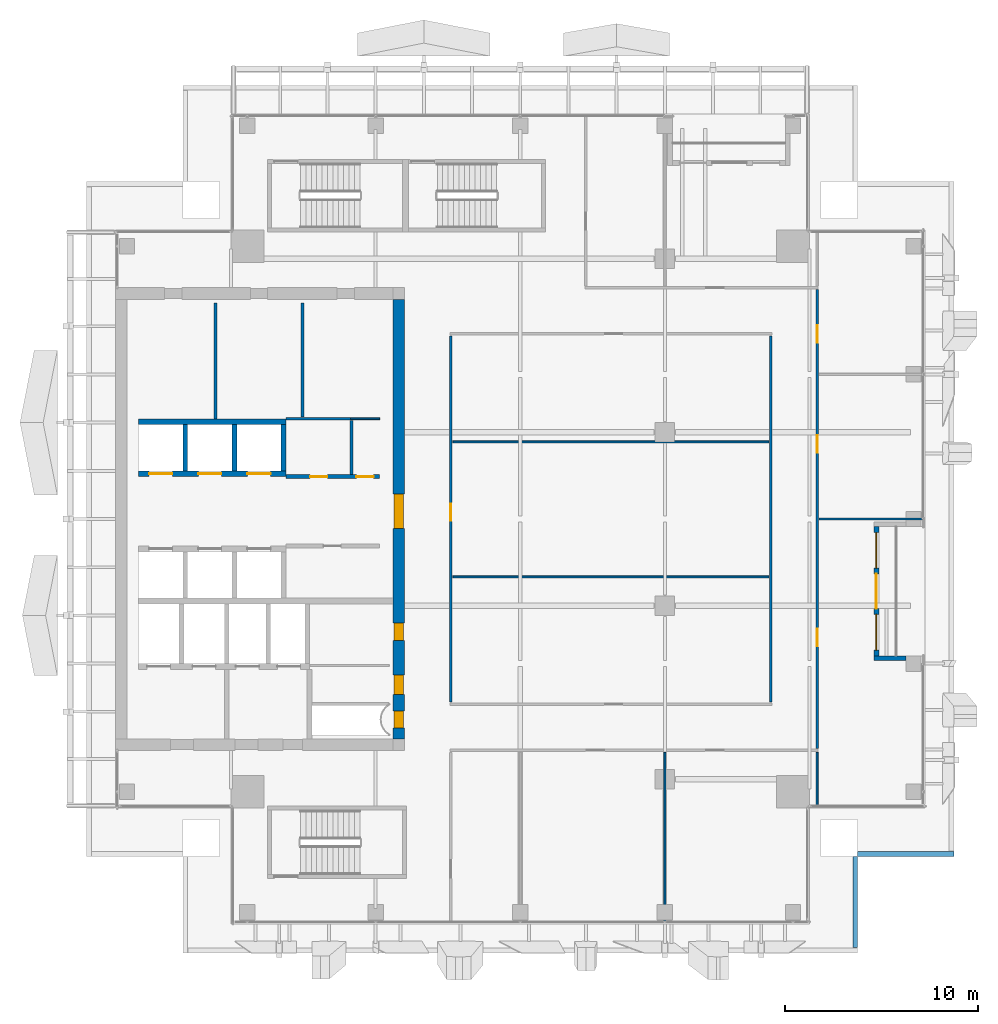
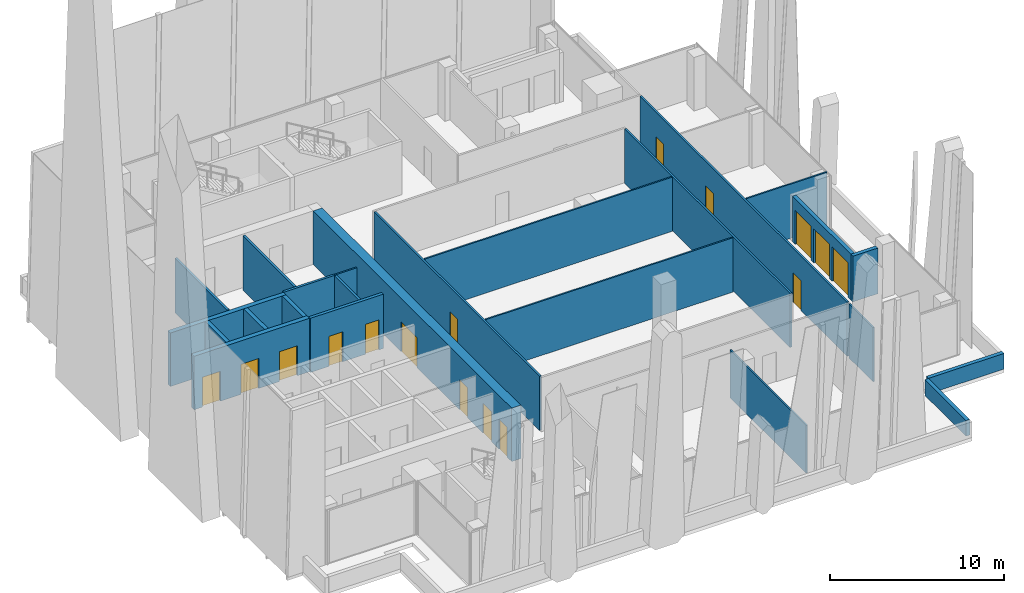
# One storey, part 26 of 32: 24 walls, 14 doors, 2 windows, 16 openings.
"""IFC4 building model written with IfcOpenShell, lengths in metres."""

from ifc_helpers import new_model, si_unit, direction, frame, frame_2d, origin, place, context, subcontext, project, spatial, rectangle, extrude, source, transform, mapped, material, layer, layer_set, type_object, element, fill, save


model = new_model("IFC4")

# Units and contexts
model_context = context("Model", 3, precision=1e-05, world=origin(), true_north=direction((0.0, 1.0)))
body_context = subcontext(model_context, "Body", "Model", "MODEL_VIEW")
ifc_project = project(units=[si_unit("LENGTHUNIT", "METRE"), si_unit("AREAUNIT", "SQUARE_METRE"), si_unit("VOLUMEUNIT", "CUBIC_METRE"), si_unit("PLANEANGLEUNIT", "RADIAN"), si_unit("MASSUNIT", "GRAM", prefix="KILO")], contexts=[model_context])

# Site, building, storey
site_placement = place(None, origin())
site = spatial("IfcSite", under=ifc_project, at=site_placement, CompositionType="ELEMENT")
building_placement = place(site_placement, origin())
building = spatial("IfcBuilding", under=site, at=building_placement, Name="Khomas Fold Tower", CompositionType="ELEMENT")
storey_placement = place(building_placement, frame((0.0, 0.0, 282.199951171875)))
storey = spatial("IfcBuildingStorey", under=building, at=storey_placement, Name="L63", CompositionType="ELEMENT", Elevation=282.199951171875)

# Walls
ifc_material_1 = material(Name="Concrete C50/60", Category="concrete")
ifc_layer_1 = layer(ifc_material_1, 0.25)
ifc_layer_set_1 = layer_set([ifc_layer_1], Name="Concrete C50/60")
wall_type_1 = type_object("IfcWallType", Name="Shaft wall 250", PredefinedType="STANDARD", material=ifc_layer_set_1)
shared_shape_1 = source(origin(), body_context, "Body", "SweptSolid", [
    extrude(rectangle(XDim=2.39990234375, YDim=0.25, at=frame_2d((1.199951171875, 0.0))), origin(), (0.0, 0.0, 1.0), 3.75),
])
for number, where, z_axis, x_axis, name in (
    (1, (9.625, 29.5, 0.0), (0.0, 0.0, 1.0), (0.0, 1.0, 0.0), "Core wall SW-HRN-P1"),
    (2, (12.175048828125, 29.5, 0.0), (0.0, 0.0, 1.0), (0.0, 1.0, 0.0), "Core wall SW-HRN-P2"),
    (3, (14.72509765625, 29.5, 0.0), (0.0, 0.0, 1.0), (0.0, 1.0, 0.0), "Core wall SW-HRN-PE"),
):
    element("IfcWall", number, at=place(storey_placement, frame(where, z_axis=z_axis, x_axis=x_axis)), inside=storey, type_object=wall_type_1, Name=name, PredefinedType="STANDARD", context=body_context, shape_type="MappedRepresentation", body=[
        mapped(shared_shape_1, transform((0.0, 0.0, 0.0))),
    ])

# Wall, openings, doors
ifc_material_2 = material(Name="Concrete C50/60", Category="concrete")
ifc_layer_2 = layer(ifc_material_2, 0.60009765625)
ifc_layer_set_2 = layer_set([ifc_layer_2], Name="Concrete C50/60")
wall_type_2 = type_object("IfcWallType", Name="Core wall 600", PredefinedType="SHEAR", material=ifc_layer_set_2)
shared_shape_2 = source(origin(), body_context, "Body", "SweptSolid", [
    extrude(rectangle(XDim=22.7998046875, YDim=0.60009765625, at=frame_2d((11.39990234375, 0.0))), origin(), (0.0, 0.0, 1.0), 3.75),
])
wall_1_placement = place(storey_placement, frame((20.699951171875, 15.60009765625, 0.0), z_axis=(0.0, 0.0, 1.0), x_axis=(0.0, 1.0, 0.0)))
wall_1 = element("IfcWall", 4, at=wall_1_placement, inside=storey, type_object=wall_type_2, Name="Core wall CW-U-E-L63", PredefinedType="SHEAR", context=body_context, shape_type="MappedRepresentation", body=[
    mapped(shared_shape_2, transform((0.0, 0.0, 0.0))),
])
shared_shape_3 = source(origin(), body_context, "Body", "SweptSolid", [
    extrude(rectangle(XDim=1.800048828125, YDim=2.10009765625, at=frame_2d((0.89990234375, 1.050048828125))), frame((0.0, 0.31005859375, 0.0), z_axis=(0.0, -1.0, 0.0), x_axis=(1.0, 0.0, 0.0)), (0.0, 0.0, 1.0), 0.6201171875),
])
opening_1_placement = place(wall_1_placement, frame((10.89990234375, 0.0, 0.0)))
opening_1 = element("IfcOpeningElement", 5, at=opening_1_placement, cuts=wall_1, Name="Opening 0015", PredefinedType="OPENING", context=body_context, shape_type="MappedRepresentation", body=[
    mapped(shared_shape_3, transform((0.0, 0.0, 0.0))),
])
shared_shape_4 = source(origin(), body_context, "Body", "SweptSolid", [
    extrude(rectangle(XDim=0.89990234375, YDim=2.10009765625, at=frame_2d((0.449951171875, 1.050048828125))), frame((0.0, 0.31005859375, 0.0), z_axis=(0.0, -1.0, 0.0), x_axis=(1.0, 0.0, 0.0)), (0.0, 0.0, 1.0), 0.6201171875),
])
opening_2_placement = place(wall_1_placement, frame((0.550048828125, 0.0, 0.0)))
opening_2 = element("IfcOpeningElement", 6, at=opening_2_placement, cuts=wall_1, Name="Opening 0003", PredefinedType="OPENING", context=body_context, shape_type="MappedRepresentation", body=[
    mapped(shared_shape_4, transform((0.0, 0.0, 0.0))),
])
shared_shape_5 = source(origin(), body_context, "Body", "SweptSolid", [
    extrude(rectangle(XDim=1.0, YDim=2.10009765625, at=frame_2d((0.5, 1.050048828125))), frame((0.0, 0.31005859375, 0.0), z_axis=(0.0, -1.0, 0.0), x_axis=(1.0, 0.0, 0.0)), (0.0, 0.0, 1.0), 0.6201171875),
])
opening_3_placement = place(wall_1_placement, frame((2.300048828125, 0.0, 0.0)))
opening_3 = element("IfcOpeningElement", 7, at=opening_3_placement, cuts=wall_1, Name="Opening 0006", PredefinedType="OPENING", context=body_context, shape_type="MappedRepresentation", body=[
    mapped(shared_shape_5, transform((0.0, 0.0, 0.0))),
])
opening_4_placement = place(wall_1_placement, frame((5.10009765625, 0.0, 0.0)))
opening_4 = element("IfcOpeningElement", 8, at=opening_4_placement, cuts=wall_1, Name="Opening 0008", PredefinedType="OPENING", context=body_context, shape_type="MappedRepresentation", body=[
    mapped(shared_shape_4, transform((0.0, 0.0, 0.0))),
])
ifc_material_3 = material(Name="Steel door leaf", Category="steel")
door_type_1 = type_object("IfcDoorType", Name="Lobby door 1800x2100", OperationType="DOUBLE_DOOR_SINGLE_SWING", PredefinedType="DOOR", material=ifc_material_3)
shared_shape_6 = source(origin(), body_context, "Body", "SweptSolid", [
    extrude(rectangle(XDim=1.800048828125, YDim=2.10009765625, at=frame_2d((0.89990234375, 1.050048828125))), frame((0.0, 0.25, 0.0), z_axis=(0.0, -1.0, 0.0), x_axis=(1.0, 0.0, 0.0)), (0.0, 0.0, 1.0), 0.5),
])
door_1_placement = place(opening_1_placement, origin())
door_1 = element("IfcDoor", 9, at=door_1_placement, inside=storey, type_object=door_type_1, Name="Lobby door", OperationType="DOUBLE_DOOR_SINGLE_SWING", OverallHeight=2.10009765625, OverallWidth=1.800048828125, PredefinedType="DOOR", context=body_context, shape_type="MappedRepresentation", body=[
    mapped(shared_shape_6, transform((0.0, 0.0, 0.0))),
])
fill(opening_1, door_1)
ifc_material_4 = material(Name="Steel door leaf", Category="steel")
door_type_2 = type_object("IfcDoorType", Name="Plant room door 900x2100 right-hand", OperationType="SINGLE_SWING_RIGHT", PredefinedType="DOOR", material=ifc_material_4)
shared_shape_7 = source(origin(), body_context, "Body", "SweptSolid", [
    extrude(rectangle(XDim=0.89990234375, YDim=2.10009765625, at=frame_2d((0.449951171875, 1.050048828125))), frame((0.0, 0.25, 0.0), z_axis=(0.0, -1.0, 0.0), x_axis=(1.0, 0.0, 0.0)), (0.0, 0.0, 1.0), 0.5),
])
door_2_placement = place(opening_2_placement, origin())
door_2 = element("IfcDoor", 10, at=door_2_placement, inside=storey, type_object=door_type_2, Name="Plant room door", OperationType="SINGLE_SWING_RIGHT", OverallHeight=2.10009765625, OverallWidth=0.89990234375, PredefinedType="DOOR", context=body_context, shape_type="MappedRepresentation", body=[
    mapped(shared_shape_7, transform((0.0, 0.0, 0.0))),
])
fill(opening_2, door_2)
ifc_material_5 = material(Name="Timber door leaf", Category="wood")
door_type_3 = type_object("IfcDoorType", Name="Door 900x2100 right-hand", OperationType="SINGLE_SWING_RIGHT", PredefinedType="DOOR", material=ifc_material_5)
door_3_placement = place(opening_4_placement, origin())
door_3 = element("IfcDoor", 11, at=door_3_placement, inside=storey, type_object=door_type_3, Name="Door", OperationType="SINGLE_SWING_RIGHT", OverallHeight=2.10009765625, OverallWidth=0.89990234375, PredefinedType="DOOR", context=body_context, shape_type="MappedRepresentation", body=[
    mapped(shared_shape_7, transform((0.0, 0.0, 0.0))),
])
fill(opening_4, door_3)
ifc_material_6 = material(Name="Timber door leaf", Category="wood")
door_type_4 = type_object("IfcDoorType", Name="WC door 1000x2100 right-hand", OperationType="SINGLE_SWING_RIGHT", PredefinedType="DOOR", material=ifc_material_6)
shared_shape_8 = source(origin(), body_context, "Body", "SweptSolid", [
    extrude(rectangle(XDim=1.0, YDim=2.10009765625, at=frame_2d((0.5, 1.050048828125))), frame((0.0, 0.25, 0.0), z_axis=(0.0, -1.0, 0.0), x_axis=(1.0, 0.0, 0.0)), (0.0, 0.0, 1.0), 0.5),
])
door_4_placement = place(opening_3_placement, origin())
door_4 = element("IfcDoor", 12, at=door_4_placement, inside=storey, type_object=door_type_4, Name="WC door", OperationType="SINGLE_SWING_RIGHT", OverallHeight=2.10009765625, OverallWidth=1.0, PredefinedType="DOOR", context=body_context, shape_type="MappedRepresentation", body=[
    mapped(shared_shape_8, transform((0.0, 0.0, 0.0))),
])
fill(opening_3, door_4)

# Wall
ifc_material_7 = material(Name="Concrete C50/60", Category="concrete")
ifc_layer_3 = layer(ifc_material_7, 0.300048828125)
ifc_layer_set_3 = layer_set([ifc_layer_3], Name="Concrete C50/60")
wall_type_3 = type_object("IfcWallType", Name="Shaft wall 300", PredefinedType="STANDARD", material=ifc_layer_set_3)
shared_shape_9 = source(origin(), body_context, "Body", "SweptSolid", [
    extrude(rectangle(XDim=7.650146484375, YDim=0.300048828125, at=frame_2d((3.8251953125, 0.0))), origin(), (0.0, 0.0, 1.0), 3.75),
])
wall_2_placement = place(storey_placement, frame((7.199951171875, 32.050048828125, 0.0), z_axis=(0.0, 0.0, 1.0), x_axis=(1.0, 0.0, 0.0)))
element("IfcWall", 13, at=wall_2_placement, inside=storey, type_object=wall_type_3, Name="Core wall SW-HRN-B", PredefinedType="STANDARD", context=body_context, shape_type="MappedRepresentation", body=[
    mapped(shared_shape_9, transform((0.0, 0.0, 0.0))),
])

# Wall, openings, doors
wall_3_placement = place(storey_placement, frame((7.199951171875, 29.35009765625, 0.0), z_axis=(0.0, 0.0, 1.0), x_axis=(1.0, 0.0, 0.0)))
wall_3 = element("IfcWall", 14, at=wall_3_placement, inside=storey, type_object=wall_type_3, Name="Core wall SW-HRN-F", PredefinedType="STANDARD", context=body_context, shape_type="MappedRepresentation", body=[
    mapped(shared_shape_9, transform((0.0, 0.0, 0.0))),
])
shared_shape_10 = source(origin(), body_context, "Body", "SweptSolid", [
    extrude(rectangle(XDim=1.199951171875, YDim=2.10009765625, at=frame_2d((0.60009765625, 1.050048828125))), frame((0.0, 0.159912109375, 0.0), z_axis=(0.0, -1.0, 0.0), x_axis=(1.0, 0.0, 0.0)), (0.0, 0.0, 1.0), 0.320068359375),
])
opening_5_placement = place(wall_3_placement, frame((0.550048828125, 0.0, 0.0)))
opening_5 = element("IfcOpeningElement", 15, at=opening_5_placement, cuts=wall_3, Name="Opening LD-HR4", PredefinedType="OPENING", context=body_context, shape_type="MappedRepresentation", body=[
    mapped(shared_shape_10, transform((0.0, 0.0, 0.0))),
])
opening_6_placement = place(wall_3_placement, frame((3.10009765625, 0.0, 0.0)))
opening_6 = element("IfcOpeningElement", 16, at=opening_6_placement, cuts=wall_3, Name="Opening LD-HR5", PredefinedType="OPENING", context=body_context, shape_type="MappedRepresentation", body=[
    mapped(shared_shape_10, transform((0.0, 0.0, 0.0))),
])
opening_7_placement = place(wall_3_placement, frame((5.64990234375, 0.0, 0.0)))
opening_7 = element("IfcOpeningElement", 17, at=opening_7_placement, cuts=wall_3, Name="Opening LD-HR6", PredefinedType="OPENING", context=body_context, shape_type="MappedRepresentation", body=[
    mapped(shared_shape_10, transform((0.0, 0.0, 0.0))),
])
ifc_material_8 = material(Name="Steel door leaf", Category="steel")
door_type_5 = type_object("IfcDoorType", Name="Landing door 1200x2100", OperationType="DOUBLE_DOOR_SLIDING", PredefinedType="DOOR", material=ifc_material_8)
shared_shape_11 = source(origin(), body_context, "Body", "SweptSolid", [
    extrude(rectangle(XDim=1.199951171875, YDim=2.10009765625, at=frame_2d((0.60009765625, 1.050048828125))), frame((0.0, 0.02490234375, 0.0), z_axis=(0.0, -1.0, 0.0), x_axis=(1.0, 0.0, 0.0)), (0.0, 0.0, 1.0), 0.050048828125),
])
door_5_placement = place(opening_5_placement, origin())
door_5 = element("IfcDoor", 18, at=door_5_placement, inside=storey, type_object=door_type_5, Name="Lift landing door", OperationType="DOUBLE_DOOR_SLIDING", OverallHeight=2.10009765625, OverallWidth=1.199951171875, PredefinedType="DOOR", context=body_context, shape_type="MappedRepresentation", body=[
    mapped(shared_shape_11, transform((0.0, 0.0, 0.0))),
])
fill(opening_5, door_5)
door_6_placement = place(opening_6_placement, origin())
door_6 = element("IfcDoor", 19, at=door_6_placement, inside=storey, type_object=door_type_5, Name="Lift landing door", OperationType="DOUBLE_DOOR_SLIDING", OverallHeight=2.10009765625, OverallWidth=1.199951171875, PredefinedType="DOOR", context=body_context, shape_type="MappedRepresentation", body=[
    mapped(shared_shape_11, transform((0.0, 0.0, 0.0))),
])
fill(opening_6, door_6)
door_7_placement = place(opening_7_placement, origin())
door_7 = element("IfcDoor", 20, at=door_7_placement, inside=storey, type_object=door_type_5, Name="Lift landing door", OperationType="DOUBLE_DOOR_SLIDING", OverallHeight=2.10009765625, OverallWidth=1.199951171875, PredefinedType="DOOR", context=body_context, shape_type="MappedRepresentation", body=[
    mapped(shared_shape_11, transform((0.0, 0.0, 0.0))),
])
fill(opening_7, door_7)

# Wall, openings, door, windows
ifc_material_9 = material(Name="Natural stone", Category="masonry")
ifc_layer_4 = layer(ifc_material_9, 0.0400390625)
ifc_material_10 = material(Name="Mineral wool insulation", Category="insulation")
ifc_layer_5 = layer(ifc_material_10, 0.10009765625)
ifc_material_11 = material(Name="Masonry", Category="masonry")
ifc_layer_6 = layer(ifc_material_11, 0.110107421875)
ifc_layer_set_4 = layer_set([ifc_layer_4, ifc_layer_5, ifc_layer_6], Name="Stone-faced insulated masonry")
wall_type_4 = type_object("IfcWallType", Name="BL-Balcony wall", PredefinedType="SOLIDWALL", material=ifc_layer_set_4)
shared_shape_12 = source(origin(), body_context, "Body", "SweptSolid", [
    extrude(rectangle(XDim=6.7001953125, YDim=0.25, at=frame_2d((3.35009765625, 0.0))), origin(), (0.0, 0.0, 1.0), 3.199951171875),
])
wall_4_placement = place(storey_placement, frame((45.47509765625, 19.89990234375, 0.0), z_axis=(0.0, 0.0, 1.0), x_axis=(0.0, 1.0, 0.0)))
wall_4 = element("IfcWall", 21, at=wall_4_placement, inside=storey, type_object=wall_type_4, Name="Balcony wall BAL-L63-E2", PredefinedType="SOLIDWALL", context=body_context, shape_type="MappedRepresentation", body=[
    mapped(shared_shape_12, transform((0.0, 0.0, 0.0))),
])
shared_shape_13 = source(origin(), body_context, "Body", "SweptSolid", [
    extrude(rectangle(XDim=1.85009765625, YDim=2.39990234375, at=frame_2d((0.925048828125, 1.199951171875))), frame((0.0, 0.135009765625, 0.0), z_axis=(0.0, -1.0, 0.0), x_axis=(1.0, 0.0, 0.0)), (0.0, 0.0, 1.0), 0.27001953125),
])
opening_8_placement = place(wall_4_placement, frame((0.300048828125, 0.0, 0.0)))
opening_8 = element("IfcOpeningElement", 22, at=opening_8_placement, cuts=wall_4, Name="Opening BL-W7", PredefinedType="OPENING", context=body_context, shape_type="MappedRepresentation", body=[
    mapped(shared_shape_13, transform((0.0, 0.0, 0.0))),
])
opening_9_placement = place(wall_4_placement, frame((4.550048828125, 0.0, 0.0)))
opening_9 = element("IfcOpeningElement", 23, at=opening_9_placement, cuts=wall_4, Name="Opening BL-W7", PredefinedType="OPENING", context=body_context, shape_type="MappedRepresentation", body=[
    mapped(shared_shape_13, transform((0.0, 0.0, 0.0))),
])
shared_shape_14 = source(origin(), body_context, "Body", "SweptSolid", [
    extrude(rectangle(XDim=1.800048828125, YDim=2.39990234375, at=frame_2d((0.89990234375, 1.199951171875))), frame((0.0, 0.135009765625, 0.0), z_axis=(0.0, -1.0, 0.0), x_axis=(1.0, 0.0, 0.0)), (0.0, 0.0, 1.0), 0.27001953125),
])
opening_10_placement = place(wall_4_placement, frame((2.449951171875, 0.0, 0.0)))
opening_10 = element("IfcOpeningElement", 24, at=opening_10_placement, cuts=wall_4, Name="Opening BD632", PredefinedType="OPENING", context=body_context, shape_type="MappedRepresentation", body=[
    mapped(shared_shape_14, transform((0.0, 0.0, 0.0))),
])
ifc_material_12 = material(Name="Aluminium framed double glazing", Category="aluminium")
door_type_6 = type_object("IfcDoorType", Name="BL-Glazed balcony door 1800 x 2400", OperationType="DOUBLE_DOOR_DOUBLE_SWING", PredefinedType="DOOR", material=ifc_material_12)
shared_shape_15 = source(origin(), body_context, "Body", "SweptSolid", [
    extrude(rectangle(XDim=1.800048828125, YDim=2.39990234375, at=frame_2d((0.89990234375, 1.199951171875))), frame((0.0, 0.02490234375, 0.0), z_axis=(0.0, -1.0, 0.0), x_axis=(1.0, 0.0, 0.0)), (0.0, 0.0, 1.0), 0.050048828125),
])
door_8_placement = place(opening_10_placement, origin())
door_8 = element("IfcDoor", 25, at=door_8_placement, inside=storey, type_object=door_type_6, Name="Balcony door BD632", OperationType="DOUBLE_DOOR_DOUBLE_SWING", OverallHeight=2.39990234375, OverallWidth=1.800048828125, PredefinedType="DOOR", context=body_context, shape_type="MappedRepresentation", body=[
    mapped(shared_shape_15, transform((0.0, 0.0, 0.0))),
])
fill(opening_10, door_8)
ifc_material_13 = material(Name="Aluminium framed double glazing", Category="aluminium")
window_type = type_object("IfcWindowType", Name="BL-Fixed glazing 1850 x 2400", PartitioningType="SINGLE_PANEL", PredefinedType="WINDOW", material=ifc_material_13)
shared_shape_16 = source(origin(), body_context, "Body", "SweptSolid", [
    extrude(rectangle(XDim=1.85009765625, YDim=2.39990234375, at=frame_2d((0.925048828125, 1.199951171875))), frame((0.0, 0.030029296875, 0.0), z_axis=(0.0, -1.0, 0.0), x_axis=(1.0, 0.0, 0.0)), (0.0, 0.0, 1.0), 0.06005859375),
])
window_1_placement = place(opening_8_placement, origin())
window_1 = element("IfcWindow", 26, at=window_1_placement, inside=storey, type_object=window_type, Name="Balcony glazing BAL-L63-E2-1", OverallHeight=2.39990234375, OverallWidth=1.85009765625, PartitioningType="SINGLE_PANEL", PredefinedType="WINDOW", context=body_context, shape_type="MappedRepresentation", body=[
    mapped(shared_shape_16, transform((0.0, 0.0, 0.0))),
])
fill(opening_8, window_1)
window_2_placement = place(opening_9_placement, origin())
window_2 = element("IfcWindow", 27, at=window_2_placement, inside=storey, type_object=window_type, Name="Balcony glazing BAL-L63-E2-2", OverallHeight=2.39990234375, OverallWidth=1.85009765625, PartitioningType="SINGLE_PANEL", PredefinedType="WINDOW", context=body_context, shape_type="MappedRepresentation", body=[
    mapped(shared_shape_16, transform((0.0, 0.0, 0.0))),
])
fill(opening_9, window_2)

# Walls
shared_shape_17 = source(origin(), body_context, "Body", "SweptSolid", [
    extrude(rectangle(XDim=1.64990234375, YDim=0.25, at=frame_2d((0.824951171875, 0.0))), origin(), (0.0, 0.0, 1.0), 3.199951171875),
])
wall_5_placement = place(storey_placement, frame((47.0, 19.77490234375, 0.0), z_axis=(0.0, 0.0, 1.0), x_axis=(-1.0, 0.0, 0.0)))
element("IfcWall", 28, at=wall_5_placement, inside=storey, type_object=wall_type_4, Name="Balcony return wall BAL-L63-E2-lo", PredefinedType="SOLIDWALL", context=body_context, shape_type="MappedRepresentation", body=[
    mapped(shared_shape_17, transform((0.0, 0.0, 0.0))),
])
ifc_material_14 = material(Name="Concrete C40/50", Category="concrete")
ifc_layer_7 = layer(ifc_material_14, 0.25)
ifc_layer_set_5 = layer_set([ifc_layer_7], Name="Concrete C40/50")
wall_type_5 = type_object("IfcWallType", Name="Setback roof parapet 250", PredefinedType="PARAPET", material=ifc_layer_set_5)
shared_shape_18 = source(origin(), body_context, "Body", "SweptSolid", [
    extrude(rectangle(XDim=5.0, YDim=0.25, at=frame_2d((2.5, 0.0))), origin(), (0.0, 0.0, 1.0), 1.10009765625),
])
wall_6_placement = place(storey_placement, frame((44.5, 9.625, 0.0), z_axis=(0.0, 0.0, 1.0), x_axis=(1.0, 0.0, 0.0)))
element("IfcWall", 29, at=wall_6_placement, inside=storey, type_object=wall_type_5, Name="Setback roof parapet", PredefinedType="SOLIDWALL", context=body_context, shape_type="MappedRepresentation", body=[
    mapped(shared_shape_18, transform((0.0, 0.0, 0.0))),
])
shared_shape_19 = source(origin(), body_context, "Body", "SweptSolid", [
    extrude(rectangle(XDim=4.72998046875, YDim=0.25, at=frame_2d((2.364990234375, 0.0))), origin(), (0.0, 0.0, 1.0), 1.10009765625),
])
wall_7_placement = place(storey_placement, frame((44.375, 4.77001953125, 0.0), z_axis=(0.0, 0.0, 1.0), x_axis=(0.0, 1.0, 0.0)))
element("IfcWall", 30, at=wall_7_placement, inside=storey, type_object=wall_type_5, Name="Setback roof parapet", PredefinedType="SOLIDWALL", context=body_context, shape_type="MappedRepresentation", body=[
    mapped(shared_shape_19, transform((0.0, 0.0, 0.0))),
])
ifc_material_15 = material(Name="Plasterboard fire partition")
ifc_layer_8 = layer(ifc_material_15, 0.14990234375)
ifc_layer_set_6 = layer_set([ifc_layer_8], Name="Plasterboard fire partition")
wall_type_6 = type_object("IfcWallType", Name="Plant room wall PW3 150", PredefinedType="PARTITIONING", material=ifc_layer_set_6)
shared_shape_20 = source(origin(), body_context, "Body", "SweptSolid", [
    extrude(rectangle(XDim=6.0, YDim=0.14990234375, at=frame_2d((3.0, 0.0))), origin(), (0.0, 0.0, 1.0), 3.800048828125),
])
wall_8_placement = place(storey_placement, frame((11.199951171875, 32.199951171875, 0.0), z_axis=(0.0, 0.0, 1.0), x_axis=(0.0, 1.0, 0.0)))
element("IfcWall", 31, at=wall_8_placement, inside=storey, type_object=wall_type_6, Name="Plant room wall", PredefinedType="PARTITIONING", context=body_context, shape_type="MappedRepresentation", body=[
    mapped(shared_shape_20, transform((0.0, 0.0, 0.0))),
])

# Wall, opening, door
ifc_material_16 = material(Name="Plasterboard partition")
ifc_layer_9 = layer(ifc_material_16, 0.125)
ifc_layer_set_7 = layer_set([ifc_layer_9], Name="Plasterboard partition")
wall_type_7 = type_object("IfcWallType", Name="Partition PW2 125", PredefinedType="PARTITIONING", material=ifc_layer_set_7)
shared_shape_21 = source(origin(), body_context, "Body", "SweptSolid", [
    extrude(rectangle(XDim=19.0, YDim=0.125, at=frame_2d((9.5, 0.0))), origin(), (0.0, 0.0, 1.0), 3.800048828125),
])
wall_9_placement = place(storey_placement, frame((23.39990234375, 17.5, 0.0), z_axis=(0.0, 0.0, 1.0), x_axis=(0.0, 1.0, 0.0)))
wall_9 = element("IfcWall", 32, at=wall_9_placement, inside=storey, type_object=wall_type_7, Name="Partition", PredefinedType="PARTITIONING", context=body_context, shape_type="MappedRepresentation", body=[
    mapped(shared_shape_21, transform((0.0, 0.0, 0.0))),
])
shared_shape_22 = source(origin(), body_context, "Body", "SweptSolid", [
    extrude(rectangle(XDim=0.89990234375, YDim=2.10009765625, at=frame_2d((0.449951171875, 1.050048828125))), frame((0.0, 0.072509765625, 0.0), z_axis=(0.0, -1.0, 0.0), x_axis=(1.0, 0.0, 0.0)), (0.0, 0.0, 1.0), 0.14501953125),
])
opening_11_placement = place(wall_9_placement, frame((9.39990234375, 0.0, 0.0)))
opening_11 = element("IfcOpeningElement", 33, at=opening_11_placement, cuts=wall_9, Name="Opening 0007", PredefinedType="OPENING", context=body_context, shape_type="MappedRepresentation", body=[
    mapped(shared_shape_22, transform((0.0, 0.0, 0.0))),
])
ifc_material_17 = material(Name="Timber door leaf", Category="wood")
door_type_7 = type_object("IfcDoorType", Name="Door 900x2100 left-hand", OperationType="SINGLE_SWING_LEFT", PredefinedType="DOOR", material=ifc_material_17)
shared_shape_23 = source(origin(), body_context, "Body", "SweptSolid", [
    extrude(rectangle(XDim=0.89990234375, YDim=2.10009765625, at=frame_2d((0.449951171875, 1.050048828125))), frame((0.0, 0.02490234375, 0.0), z_axis=(0.0, -1.0, 0.0), x_axis=(1.0, 0.0, 0.0)), (0.0, 0.0, 1.0), 0.050048828125),
])
door_9_placement = place(opening_11_placement, origin())
door_9 = element("IfcDoor", 34, at=door_9_placement, inside=storey, type_object=door_type_7, Name="Door", OperationType="SINGLE_SWING_LEFT", OverallHeight=2.10009765625, OverallWidth=0.89990234375, PredefinedType="DOOR", context=body_context, shape_type="MappedRepresentation", body=[
    mapped(shared_shape_23, transform((0.0, 0.0, 0.0))),
])
fill(opening_11, door_9)

# Wall
wall_10_placement = place(storey_placement, frame((40.0, 17.5, 0.0), z_axis=(0.0, 0.0, 1.0), x_axis=(0.0, 1.0, 0.0)))
element("IfcWall", 35, at=wall_10_placement, inside=storey, type_object=wall_type_7, Name="Partition", PredefinedType="PARTITIONING", context=body_context, shape_type="MappedRepresentation", body=[
    mapped(shared_shape_21, transform((0.0, 0.0, 0.0))),
])

# Wall, openings, doors
ifc_material_18 = material(Name="Concrete C30/37", Category="concrete")
ifc_layer_10 = layer(ifc_material_18, 0.199951171875)
ifc_layer_set_8 = layer_set([ifc_layer_10], Name="Concrete C30/37")
wall_type_8 = type_object("IfcWallType", Name="Lobby wall PW4 200", PredefinedType="PARTITIONING", material=ifc_layer_set_8)
shared_shape_24 = source(origin(), body_context, "Body", "SweptSolid", [
    extrude(rectangle(XDim=4.849853515625, YDim=0.199951171875, at=frame_2d((2.4248046875, 0.0))), origin(), (0.0, 0.0, 1.0), 3.800048828125),
])
wall_11_placement = place(storey_placement, frame((14.85009765625, 29.199951171875, 0.0), z_axis=(0.0, 0.0, 1.0), x_axis=(1.0, 0.0, 0.0)))
wall_11 = element("IfcWall", 36, at=wall_11_placement, inside=storey, type_object=wall_type_8, Name="Lobby wall", PredefinedType="PARTITIONING", context=body_context, shape_type="MappedRepresentation", body=[
    mapped(shared_shape_24, transform((0.0, 0.0, 0.0))),
])
shared_shape_25 = source(origin(), body_context, "Body", "SweptSolid", [
    extrude(rectangle(XDim=0.89990234375, YDim=2.10009765625, at=frame_2d((0.449951171875, 1.050048828125))), frame((0.0, 0.10986328125, 0.0), z_axis=(0.0, -1.0, 0.0), x_axis=(1.0, 0.0, 0.0)), (0.0, 0.0, 1.0), 0.219970703125),
])
opening_12_placement = place(wall_11_placement, frame((1.25, 0.0, 0.0)))
opening_12 = element("IfcOpeningElement", 37, at=opening_12_placement, cuts=wall_11, Name="Opening 0003", PredefinedType="OPENING", context=body_context, shape_type="MappedRepresentation", body=[
    mapped(shared_shape_25, transform((0.0, 0.0, 0.0))),
])
opening_13_placement = place(wall_11_placement, frame((3.64990234375, 0.0, 0.0)))
opening_13 = element("IfcOpeningElement", 38, at=opening_13_placement, cuts=wall_11, Name="Opening 0021", PredefinedType="OPENING", context=body_context, shape_type="MappedRepresentation", body=[
    mapped(shared_shape_25, transform((0.0, 0.0, 0.0))),
])
door_10_placement = place(opening_12_placement, origin())
door_10 = element("IfcDoor", 39, at=door_10_placement, inside=storey, type_object=door_type_2, Name="Plant room door", OperationType="SINGLE_SWING_RIGHT", OverallHeight=2.10009765625, OverallWidth=0.89990234375, PredefinedType="DOOR", context=body_context, shape_type="MappedRepresentation", body=[
    mapped(shared_shape_23, transform((0.0, 0.0, 0.0))),
])
fill(opening_12, door_10)
ifc_material_19 = material(Name="Steel door leaf", Category="steel")
door_type_8 = type_object("IfcDoorType", Name="Lobby door 900x2100 left-hand", OperationType="SINGLE_SWING_LEFT", PredefinedType="DOOR", material=ifc_material_19)
door_11_placement = place(opening_13_placement, origin())
door_11 = element("IfcDoor", 40, at=door_11_placement, inside=storey, type_object=door_type_8, Name="Lobby door", OperationType="SINGLE_SWING_LEFT", OverallHeight=2.10009765625, OverallWidth=0.89990234375, PredefinedType="DOOR", context=body_context, shape_type="MappedRepresentation", body=[
    mapped(shared_shape_23, transform((0.0, 0.0, 0.0))),
])
fill(opening_13, door_11)

# Walls
shared_shape_26 = source(origin(), body_context, "Body", "SweptSolid", [
    extrude(rectangle(XDim=2.800048828125, YDim=0.14990234375, at=frame_2d((1.39990234375, 0.0))), origin(), (0.0, 0.0, 1.0), 3.800048828125),
])
wall_12_placement = place(storey_placement, frame((18.25, 29.300048828125, 0.0), z_axis=(0.0, 0.0, 1.0), x_axis=(0.0, 1.0, 0.0)))
element("IfcWall", 41, at=wall_12_placement, inside=storey, type_object=wall_type_6, Name="Plant room wall", PredefinedType="PARTITIONING", context=body_context, shape_type="MappedRepresentation", body=[
    mapped(shared_shape_26, transform((0.0, 0.0, 0.0))),
])
ifc_material_20 = material(Name="Plasterboard partition")
ifc_layer_11 = layer(ifc_material_20, 0.10009765625)
ifc_layer_set_9 = layer_set([ifc_layer_11], Name="Plasterboard partition")
wall_type_9 = type_object("IfcWallType", Name="Partition PW1 100", PredefinedType="PARTITIONING", material=ifc_layer_set_9)
shared_shape_27 = source(origin(), body_context, "Body", "SweptSolid", [
    extrude(rectangle(XDim=8.75, YDim=0.10009765625, at=frame_2d((4.375, 0.0))), origin(), (0.0, 0.0, 1.0), 3.35009765625),
])
wall_13_placement = place(storey_placement, frame((34.5, 6.14990234375, 0.0), z_axis=(0.0, 0.0, 1.0), x_axis=(0.0, 1.0, 0.0)))
element("IfcWall", 42, at=wall_13_placement, inside=storey, type_object=wall_type_9, Name="Partition", PredefinedType="PARTITIONING", context=body_context, shape_type="MappedRepresentation", body=[
    mapped(shared_shape_27, transform((0.0, 0.0, 0.0))),
])
shared_shape_28 = source(origin(), body_context, "Body", "SweptSolid", [
    extrude(rectangle(XDim=2.75, YDim=0.10009765625, at=frame_2d((1.375, 0.0))), origin(), (0.0, 0.0, 1.0), 3.800048828125),
])
wall_14_placement = place(storey_placement, frame((42.39990234375, 12.14990234375, 0.0), z_axis=(0.0, 0.0, 1.0), x_axis=(0.0, 1.0, 0.0)))
element("IfcWall", 43, at=wall_14_placement, inside=storey, type_object=wall_type_9, Name="Partition", PredefinedType="PARTITIONING", context=body_context, shape_type="MappedRepresentation", body=[
    mapped(shared_shape_28, transform((0.0, 0.0, 0.0))),
])

# Wall, openings, doors
shared_shape_29 = source(origin(), body_context, "Body", "SweptSolid", [
    extrude(rectangle(XDim=23.7998046875, YDim=0.125, at=frame_2d((11.89990234375, 0.0))), origin(), (0.0, 0.0, 1.0), 3.800048828125),
])
wall_15_placement = place(storey_placement, frame((42.39990234375, 15.10009765625, 0.0), z_axis=(0.0, 0.0, 1.0), x_axis=(0.0, 1.0, 0.0)))
wall_15 = element("IfcWall", 44, at=wall_15_placement, inside=storey, type_object=wall_type_7, Name="Partition", PredefinedType="PARTITIONING", context=body_context, shape_type="MappedRepresentation", body=[
    mapped(shared_shape_29, transform((0.0, 0.0, 0.0))),
])
opening_14_placement = place(wall_15_placement, frame((5.300048828125, 0.0, 0.0)))
opening_14 = element("IfcOpeningElement", 45, at=opening_14_placement, cuts=wall_15, Name="Opening 0007", PredefinedType="OPENING", context=body_context, shape_type="MappedRepresentation", body=[
    mapped(shared_shape_22, transform((0.0, 0.0, 0.0))),
])
opening_15_placement = place(wall_15_placement, frame((15.35009765625, 0.0, 0.0)))
opening_15 = element("IfcOpeningElement", 46, at=opening_15_placement, cuts=wall_15, Name="Opening 0008", PredefinedType="OPENING", context=body_context, shape_type="MappedRepresentation", body=[
    mapped(shared_shape_22, transform((0.0, 0.0, 0.0))),
])
opening_16_placement = place(wall_15_placement, frame((21.050048828125, 0.0, 0.0)))
opening_16 = element("IfcOpeningElement", 47, at=opening_16_placement, cuts=wall_15, Name="Opening 0007", PredefinedType="OPENING", context=body_context, shape_type="MappedRepresentation", body=[
    mapped(shared_shape_22, transform((0.0, 0.0, 0.0))),
])
door_12_placement = place(opening_14_placement, origin())
door_12 = element("IfcDoor", 48, at=door_12_placement, inside=storey, type_object=door_type_7, Name="Door", OperationType="SINGLE_SWING_LEFT", OverallHeight=2.10009765625, OverallWidth=0.89990234375, PredefinedType="DOOR", context=body_context, shape_type="MappedRepresentation", body=[
    mapped(shared_shape_23, transform((0.0, 0.0, 0.0))),
])
fill(opening_14, door_12)
door_13_placement = place(opening_15_placement, origin())
door_13 = element("IfcDoor", 49, at=door_13_placement, inside=storey, type_object=door_type_3, Name="Door", OperationType="SINGLE_SWING_RIGHT", OverallHeight=2.10009765625, OverallWidth=0.89990234375, PredefinedType="DOOR", context=body_context, shape_type="MappedRepresentation", body=[
    mapped(shared_shape_23, transform((0.0, 0.0, 0.0))),
])
fill(opening_15, door_13)
door_14_placement = place(opening_16_placement, origin())
door_14 = element("IfcDoor", 50, at=door_14_placement, inside=storey, type_object=door_type_7, Name="Door", OperationType="SINGLE_SWING_LEFT", OverallHeight=2.10009765625, OverallWidth=0.89990234375, PredefinedType="DOOR", context=body_context, shape_type="MappedRepresentation", body=[
    mapped(shared_shape_23, transform((0.0, 0.0, 0.0))),
])
fill(opening_16, door_14)

# Walls
shared_shape_30 = source(origin(), body_context, "Body", "SweptSolid", [
    extrude(rectangle(XDim=16.39990234375, YDim=0.10009765625, at=frame_2d((8.199951171875, 0.0))), origin(), (0.0, 0.0, 1.0), 3.800048828125),
])
for number, where, z_axis, x_axis, name in (
    (51, (23.5, 24.0, 0.0), (0.0, 0.0, 1.0), (1.0, 0.0, 0.0), "Partition"),
    (52, (23.5, 31.0, 0.0), (0.0, 0.0, 1.0), (1.0, 0.0, 0.0), "Partition"),
):
    element("IfcWall", number, at=place(storey_placement, frame(where, z_axis=z_axis, x_axis=x_axis)), inside=storey, type_object=wall_type_9, Name=name, PredefinedType="PARTITIONING", context=body_context, shape_type="MappedRepresentation", body=[
        mapped(shared_shape_30, transform((0.0, 0.0, 0.0))),
    ])
shared_shape_31 = source(origin(), body_context, "Body", "SweptSolid", [
    extrude(rectangle(XDim=5.35009765625, YDim=0.10009765625, at=frame_2d((2.675048828125, 0.0))), origin(), (0.0, 0.0, 1.0), 3.800048828125),
])
wall_16_placement = place(storey_placement, frame((42.5, 27.0, 0.0), z_axis=(0.0, 0.0, 1.0), x_axis=(1.0, 0.0, 0.0)))
element("IfcWall", 53, at=wall_16_placement, inside=storey, type_object=wall_type_9, Name="Partition", PredefinedType="PARTITIONING", context=body_context, shape_type="MappedRepresentation", body=[
    mapped(shared_shape_31, transform((0.0, 0.0, 0.0))),
])
shared_shape_32 = source(origin(), body_context, "Body", "SweptSolid", [
    extrude(rectangle(XDim=3.349853515625, YDim=0.14990234375, at=frame_2d((1.6748046875, 0.0))), origin(), (0.0, 0.0, 1.0), 3.800048828125),
])
wall_17_placement = place(storey_placement, frame((14.85009765625, 32.199951171875, 0.0), z_axis=(0.0, 0.0, 1.0), x_axis=(1.0, 0.0, 0.0)))
element("IfcWall", 54, at=wall_17_placement, inside=storey, type_object=wall_type_6, Name="Plant room wall", PredefinedType="PARTITIONING", context=body_context, shape_type="MappedRepresentation", body=[
    mapped(shared_shape_32, transform((0.0, 0.0, 0.0))),
])
shared_shape_33 = source(origin(), body_context, "Body", "SweptSolid", [
    extrude(rectangle(XDim=1.5, YDim=0.10009765625, at=frame_2d((0.75, 0.0))), origin(), (0.0, 0.0, 1.0), 3.800048828125),
])
wall_18_placement = place(storey_placement, frame((18.199951171875, 32.199951171875, 0.0), z_axis=(0.0, 0.0, 1.0), x_axis=(1.0, 0.0, 0.0)))
element("IfcWall", 55, at=wall_18_placement, inside=storey, type_object=wall_type_9, Name="Partition", PredefinedType="PARTITIONING", context=body_context, shape_type="MappedRepresentation", body=[
    mapped(shared_shape_33, transform((0.0, 0.0, 0.0))),
])
shared_shape_34 = source(origin(), body_context, "Body", "SweptSolid", [
    extrude(rectangle(XDim=5.89990234375, YDim=0.14990234375, at=frame_2d((2.949951171875, 0.0))), origin(), (0.0, 0.0, 1.0), 3.800048828125),
])
wall_19_placement = place(storey_placement, frame((15.699951171875, 32.300048828125, 0.0), z_axis=(0.0, 0.0, 1.0), x_axis=(0.0, 1.0, 0.0)))
element("IfcWall", 56, at=wall_19_placement, inside=storey, type_object=wall_type_6, Name="Plant room wall", PredefinedType="PARTITIONING", context=body_context, shape_type="MappedRepresentation", body=[
    mapped(shared_shape_34, transform((0.0, 0.0, 0.0))),
])

save(model, "model.ifc")
